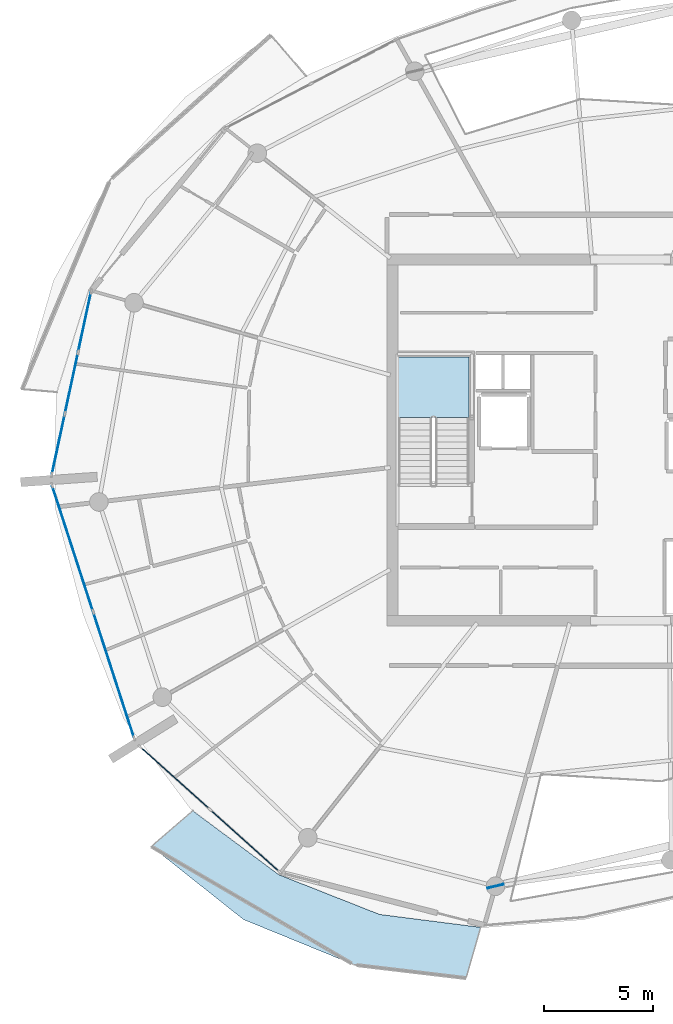
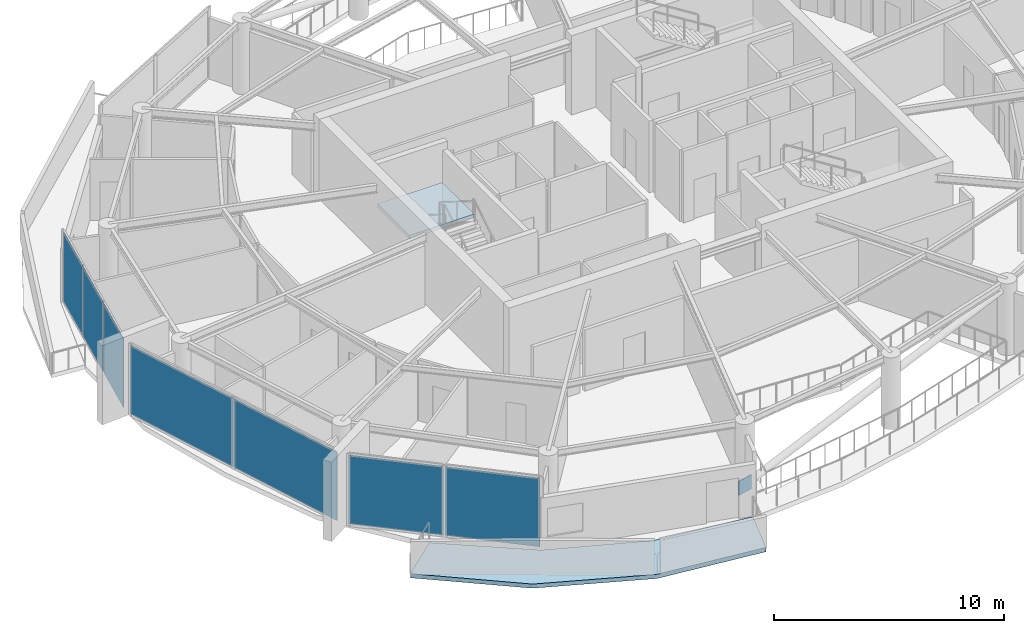
# One storey, part 8 of 21: 8 plates, 2 slabs, 4 elements without a shape of their own.
"""IFC4 building model written with IfcOpenShell, lengths in metres."""

from ifc_helpers import new_model, si_unit, direction, frame, origin, origin_2d, place, context, subcontext, project, spatial, polyline, rectangle, outline, extrude, material, layer, layer_set, type_object, element, aggregate, save


model = new_model("IFC4")

# Units and contexts
model_context = context("Model", 3, precision=1e-05, world=origin(), true_north=direction((0.0, 1.0)))
body_context = subcontext(model_context, "Body", "Model", "MODEL_VIEW")
ifc_project = project(units=[si_unit("LENGTHUNIT", "METRE"), si_unit("AREAUNIT", "SQUARE_METRE"), si_unit("VOLUMEUNIT", "CUBIC_METRE"), si_unit("PLANEANGLEUNIT", "RADIAN"), si_unit("MASSUNIT", "GRAM", prefix="KILO")], contexts=[model_context])

# Site, building, storey
site_placement = place(None, origin())
site = spatial("IfcSite", under=ifc_project, at=site_placement, CompositionType="ELEMENT")
building_placement = place(site_placement, origin())
building = spatial("IfcBuilding", under=site, at=building_placement, Name="Kazma Halo Residences", CompositionType="ELEMENT")
storey_placement = place(building_placement, frame((0.0, 0.0, 338.89990234375)))
storey = spatial("IfcBuildingStorey", under=building, at=storey_placement, Name="L85", CompositionType="ELEMENT", Elevation=338.89990234375)

# Curtain wall, plates
ifc_material_1 = material(Name="Aluminium AW-6063 T6 and Triple-Silver Low-E Glass", Category="aluminium")
ifc_layer_1 = layer(ifc_material_1, 0.239990234375)
ifc_layer_set_1 = layer_set([ifc_layer_1], Name="Aluminium AW-6063 T6 and Triple-Silver Low-E Glass")
curtain_wall_type = type_object("IfcCurtainWallType", Name="CW-SYS-6", PredefinedType="NOTDEFINED", material=ifc_layer_set_1)
curtain_wall_1_placement = place(storey_placement, origin())
curtain_wall_1 = element("IfcCurtainWall", 1, at=curtain_wall_1_placement, inside=storey, type_object=curtain_wall_type, Name="L85 unitised curtain wall B07", PredefinedType="NOTDEFINED")
ifc_material_2 = material(Name="Clear Triple-Silver Low-E Glass IGU", Category="glass")
ifc_layer_2 = layer(ifc_material_2, 0.035888671875)
ifc_layer_set_2 = layer_set([ifc_layer_2], Name="Clear Triple-Silver Low-E Glass IGU")
plate_type_1 = type_object("IfcPlateType", Name="CW-SYS-6-PNL", PredefinedType="CURTAIN_PANEL", material=ifc_layer_set_2)
plate_1_placement = place(storey_placement, frame((23.486572265625, 47.40087890625, 0.080078125), z_axis=(0.0, 0.0, 1.0), x_axis=(-0.209722888986, -0.977760865363, 0.0)))
plate_1 = element("IfcPlate", 2, at=plate_1_placement, type_object=plate_type_1, Name="CWS-6 panel 1.1", PredefinedType="CURTAIN_PANEL", context=body_context, shape_type="SweptSolid", body=[
    extrude(rectangle(XDim=2.7578125, YDim=0.035888671875, at=origin_2d()), origin(), (0.0, 0.0, 1.0), 3.639892578125),
])
plate_2_placement = place(storey_placement, frame((22.88720703125, 44.6064453125, 0.080078125), z_axis=(0.0, 0.0, 1.0), x_axis=(-0.209722888986, -0.977760865363, 0.0)))
plate_2 = element("IfcPlate", 3, at=plate_2_placement, type_object=plate_type_1, Name="CWS-6 panel 2.1", PredefinedType="CURTAIN_PANEL", context=body_context, shape_type="SweptSolid", body=[
    extrude(rectangle(XDim=2.7978515625, YDim=0.035888671875, at=origin_2d()), origin(), (0.0, 0.0, 1.0), 3.639892578125),
])
plate_3_placement = place(storey_placement, frame((22.287841796875, 41.812255859375, 0.080078125), z_axis=(0.0, 0.0, 1.0), x_axis=(-0.209722888986, -0.977760865363, 0.0)))
plate_3 = element("IfcPlate", 4, at=plate_3_placement, type_object=plate_type_1, Name="CWS-6 panel 3.1", PredefinedType="CURTAIN_PANEL", context=body_context, shape_type="SweptSolid", body=[
    extrude(rectangle(XDim=2.7578125, YDim=0.035888671875, at=origin_2d()), origin(), (0.0, 0.0, 1.0), 3.639892578125),
])
aggregate(curtain_wall_1, [plate_1, plate_2, plate_3])

curtain_wall_2_placement = place(storey_placement, origin())
curtain_wall_2 = element("IfcCurtainWall", 5, at=curtain_wall_2_placement, inside=storey, type_object=curtain_wall_type, Name="L85 unitised curtain wall B08", PredefinedType="NOTDEFINED")
plate_4_placement = place(storey_placement, frame((22.939208984375, 37.0498046875, 0.080078125), z_axis=(0.0, 0.0, 1.0), x_axis=(0.309018932797, -0.951055886462, 0.0)))
plate_4 = element("IfcPlate", 6, at=plate_4_placement, type_object=plate_type_1, Name="CWS-6 panel 1.1", PredefinedType="CURTAIN_PANEL", context=body_context, shape_type="SweptSolid", body=[
    extrude(rectangle(XDim=5.99267578125, YDim=0.035888671875, at=origin_2d()), origin(), (0.0, 0.0, 1.0), 3.639892578125),
])
plate_5_placement = place(storey_placement, frame((24.81591796875, 31.2744140625, 0.080078125), z_axis=(0.0, 0.0, 1.0), x_axis=(0.309018932797, -0.951055886462, 0.0)))
plate_5 = element("IfcPlate", 7, at=plate_5_placement, type_object=plate_type_1, Name="CWS-6 panel 2.1", PredefinedType="CURTAIN_PANEL", context=body_context, shape_type="SweptSolid", body=[
    extrude(rectangle(XDim=5.99267578125, YDim=0.035888671875, at=origin_2d()), origin(), (0.0, 0.0, 1.0), 3.639892578125),
])
aggregate(curtain_wall_2, [plate_4, plate_5])

curtain_wall_3_placement = place(storey_placement, origin())
curtain_wall_3 = element("IfcCurtainWall", 8, at=curtain_wall_3_placement, inside=storey, type_object=curtain_wall_type, Name="L85 unitised curtain wall B09", PredefinedType="NOTDEFINED")
plate_6_placement = place(storey_placement, frame((27.62353515625, 26.55810546875, 0.080078125), z_axis=(0.0, 0.0, 1.0), x_axis=(0.744378829791, -0.667757559118, 0.0)))
plate_6 = element("IfcPlate", 9, at=plate_6_placement, type_object=plate_type_1, Name="CWS-6 panel 1.1", PredefinedType="CURTAIN_PANEL", context=body_context, shape_type="SweptSolid", body=[
    extrude(rectangle(XDim=4.19677734375, YDim=0.035888671875, at=origin_2d()), origin(), (0.0, 0.0, 1.0), 3.639892578125),
])
plate_7_placement = place(storey_placement, frame((30.80712890625, 23.702392578125, 0.080078125), z_axis=(0.0, 0.0, 1.0), x_axis=(0.744378829791, -0.667757559118, 0.0)))
plate_7 = element("IfcPlate", 10, at=plate_7_placement, type_object=plate_type_1, Name="CWS-6 panel 2.1", PredefinedType="CURTAIN_PANEL", context=body_context, shape_type="SweptSolid", body=[
    extrude(rectangle(XDim=4.19677734375, YDim=0.035888671875, at=origin_2d()), origin(), (0.0, 0.0, 1.0), 3.639892578125),
])
aggregate(curtain_wall_3, [plate_6, plate_7])

# Plate
ifc_material_3 = material(Name="Steel S355", Category="steel")
ifc_layer_3 = layer(ifc_material_3, 0.0400390625)
ifc_layer_set_3 = layer_set([ifc_layer_3], Name="Steel S355")
plate_type_2 = type_object("IfcPlateType", Name="PLT-GUSSET-40", PredefinedType="SHEET", material=ifc_layer_set_3)
plate_8_placement = place(storey_placement, frame((42.25341796875, 21.62353515625, -0.074951171875), z_axis=(0.0, 0.0, 1.0), x_axis=(0.974083647521, 0.226188080216, 0.0)))
element("IfcPlate", 11, at=plate_8_placement, inside=storey, type_object=plate_type_2, Name="L85 wind-portal lower gusset SSE", PredefinedType="SHEET", context=body_context, shape_type="SweptSolid", body=[
    extrude(rectangle(XDim=0.75, YDim=0.0400390625, at=origin_2d()), origin(), (0.0, 0.0, 1.0), 0.75),
])

# Slab
ifc_material_4 = material(Name="White Concrete C50/60", Category="concrete")
ifc_layer_4 = layer(ifc_material_4, 0.219970703125)
ifc_layer_set_4 = layer_set([ifc_layer_4], Name="White Concrete C50/60")
slab_type_1 = type_object("IfcSlabType", Name="SLB-BAL-WAVE-210", PredefinedType="FLOOR", material=ifc_layer_set_4)
slab_1_placement = place(storey_placement, frame((0.0, 0.0, -0.219970703125)))
element("IfcSlab", 12, at=slab_1_placement, inside=storey, type_object=slab_type_1, Name="L85 SW cantilevered wave balcony slab", PredefinedType="FLOOR", context=body_context, shape_type="SweptSolid", body=[
    extrude(outline(polyline([(28.421630859375, 25.070556640625), (32.35302734375, 22.152099609375), (36.961181640625, 20.335205078125), (41.57666015625, 19.745849609375), (40.908203125, 17.430419921875), (35.79052734375, 18.037841796875), (30.738525390625, 20.10400390625), (26.536865234375, 23.440673828125), (28.421630859375, 25.070556640625)])), origin(), (0.0, 0.0, 1.0), 0.219970703125),
])

# Stair, slab
ifc_material_5 = material(Name="Concrete C50/60", Category="concrete")
stair_type = type_object("IfcStairType", Name="STR-RES2", PredefinedType="HALF_TURN_STAIR", material=ifc_material_5)
stair_placement = place(storey_placement, origin())
stair = element("IfcStair", 13, at=stair_placement, inside=storey, type_object=stair_type, Name="L85 Core exit stair ST-01", PredefinedType="HALF_TURN_STAIR")
ifc_layer_5 = layer(ifc_material_5, 0.199951171875)
ifc_layer_set_5 = layer_set([ifc_layer_5], Name="Concrete C50/60")
slab_type_2 = type_object("IfcSlabType", Name="SLB-STAIR-LND-200", PredefinedType="LANDING", material=ifc_layer_set_5)
slab_2_placement = place(storey_placement, frame((0.0, 0.0, 1.900146484375)))
slab_2 = element("IfcSlab", 14, at=slab_2_placement, type_object=slab_type_2, Name="ST-01 landing 1", PredefinedType="LANDING", context=body_context, shape_type="SweptSolid", body=[
    extrude(outline(polyline([(41.050048828125, 43.030029296875), (41.050048828125, 45.800048828125), (37.800048828125, 45.800048828125), (37.800048828125, 43.030029296875), (41.050048828125, 43.030029296875)])), origin(), (0.0, 0.0, 1.0), 0.199951171875),
])
aggregate(stair, [slab_2])

save(model, "model.ifc")
